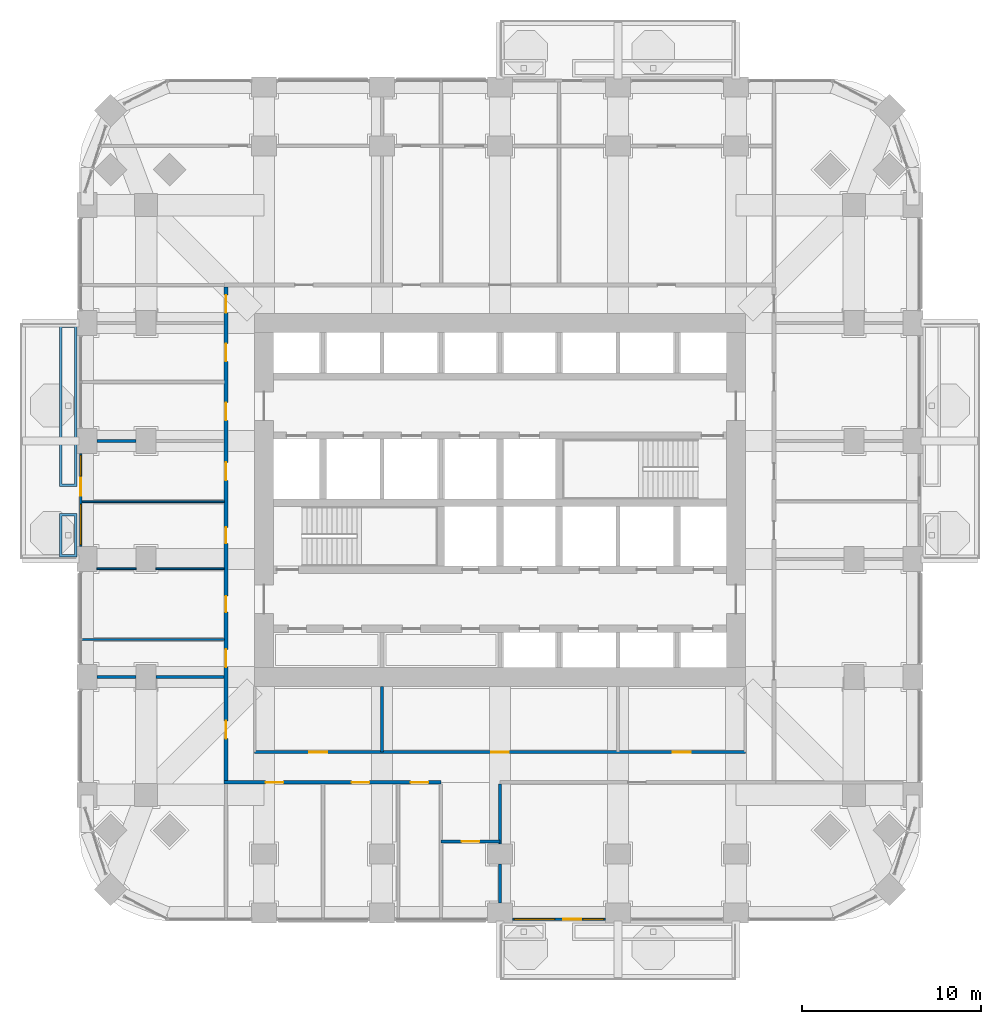
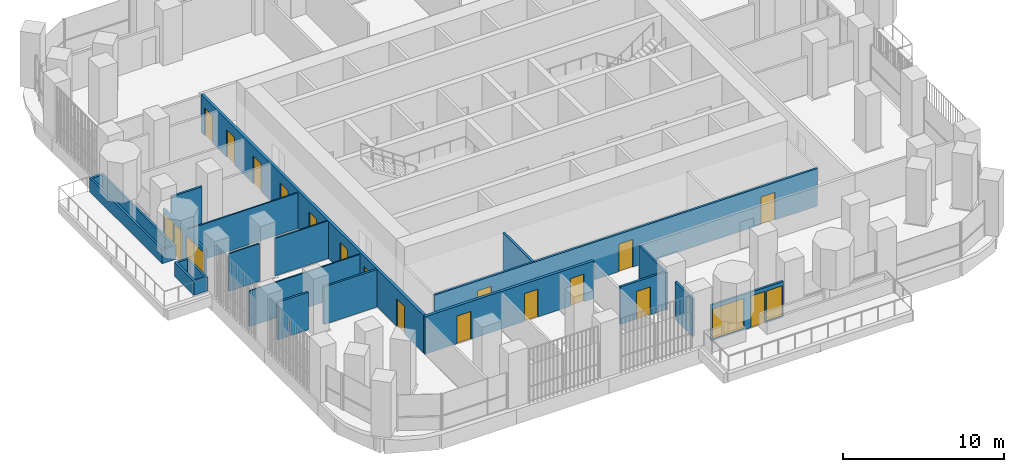
# One storey, part 14 of 22: 18 walls, 17 doors, 4 windows, 21 openings.
"""IFC4 building model written with IfcOpenShell, lengths in metres."""

from ifc_helpers import new_model, si_unit, direction, frame, frame_2d, origin, place, context, subcontext, project, spatial, polyline, rectangle, outline, extrude, material, layer, layer_set, type_object, element, fill, save


model = new_model("IFC4")

# Units and contexts
model_context = context("Model", 3, precision=1e-05, world=origin(), true_north=direction((0.0, 1.0)))
body_context = subcontext(model_context, "Body", "Model", "MODEL_VIEW")
ifc_project = project(units=[si_unit("LENGTHUNIT", "METRE"), si_unit("AREAUNIT", "SQUARE_METRE"), si_unit("VOLUMEUNIT", "CUBIC_METRE"), si_unit("PLANEANGLEUNIT", "RADIAN"), si_unit("MASSUNIT", "GRAM", prefix="KILO")], contexts=[model_context])

# Site, building, storey
site_placement = place(None, origin())
site = spatial("IfcSite", under=ifc_project, at=site_placement, CompositionType="ELEMENT")
building_placement = place(site_placement, origin())
building = spatial("IfcBuilding", under=site, at=building_placement, Name="Cobogo Forest Laboratory Tower", CompositionType="ELEMENT")
storey_placement = place(building_placement, frame((0.0, 0.0, 111.60009765625)))
storey = spatial("IfcBuildingStorey", under=building, at=storey_placement, Name="L25", CompositionType="ELEMENT", Elevation=111.60009765625)

# Wall, openings, door, windows
ifc_material_1 = material(Name="Aluminium framed glazed screen", Category="aluminium")
ifc_layer_1 = layer(ifc_material_1, 0.14990234375)
ifc_layer_set_1 = layer_set([ifc_layer_1], Name="GS1 glazed door screen 150")
wall_type_1 = type_object("IfcWallType", Name="GS1 glazed door screen 150", PredefinedType="SOLIDWALL", material=ifc_layer_set_1)
wall_1_placement = place(storey_placement, frame((27.10009765625, -0.35009765625, 0.0), z_axis=(0.0, 0.0, 1.0), x_axis=(1.0, 0.0, 0.0)))
wall_1 = element("IfcWall", 1, at=wall_1_placement, inside=storey, type_object=wall_type_1, Name="Door screen BAL-S1 L25", PredefinedType="SOLIDWALL", context=body_context, shape_type="SweptSolid", body=[
    extrude(rectangle(XDim=5.199951171875, YDim=0.14990234375, at=frame_2d((2.60009765625, 0.0))), origin(), (0.0, 0.0, 1.0), 2.699951171875),
])
opening_1_placement = place(wall_1_placement, frame((2.85009765625, 0.0, 0.0)))
opening_1 = element("IfcOpeningElement", 2, at=opening_1_placement, cuts=wall_1, Name="Opening L25-D01", PredefinedType="OPENING", context=body_context, shape_type="SweptSolid", body=[
    extrude(rectangle(XDim=1.0, YDim=2.39990234375, at=frame_2d((0.5, 1.199951171875))), frame((0.0, 0.0849609375, 0.0), z_axis=(0.0, -1.0, 0.0), x_axis=(1.0, 0.0, 0.0)), (0.0, 0.0, 1.0), 0.169921875),
])
opening_2_placement = place(wall_1_placement, frame((0.10009765625, 0.0, 0.10009765625)))
opening_2 = element("IfcOpeningElement", 3, at=opening_2_placement, cuts=wall_1, Name="Opening L25-W01", PredefinedType="OPENING", context=body_context, shape_type="SweptSolid", body=[
    extrude(rectangle(XDim=2.25, YDim=2.300048828125, at=frame_2d((1.125, 1.14990234375))), frame((0.0, 0.0849609375, 0.0), z_axis=(0.0, -1.0, 0.0), x_axis=(1.0, 0.0, 0.0)), (0.0, 0.0, 1.0), 0.169921875),
])
opening_3_placement = place(wall_1_placement, frame((3.949951171875, 0.0, 0.10009765625)))
opening_3 = element("IfcOpeningElement", 4, at=opening_3_placement, cuts=wall_1, Name="Opening L25-W02", PredefinedType="OPENING", context=body_context, shape_type="SweptSolid", body=[
    extrude(rectangle(XDim=1.14990234375, YDim=2.300048828125, at=frame_2d((0.574951171875, 1.14990234375))), frame((0.0, 0.0849609375, 0.0), z_axis=(0.0, -1.0, 0.0), x_axis=(1.0, 0.0, 0.0)), (0.0, 0.0, 1.0), 0.169921875),
])
ifc_material_2 = material(Name="Aluminium glazed door", Category="aluminium")
door_type_1 = type_object("IfcDoorType", Name="DB1 balcony door 1000 glazed", OperationType="SINGLE_SWING_LEFT", PredefinedType="DOOR", material=ifc_material_2)
door_1_placement = place(opening_1_placement, origin())
door_1 = element("IfcDoor", 5, at=door_1_placement, inside=storey, type_object=door_type_1, Name="Door L25-BAL-S1", OperationType="SINGLE_SWING_RIGHT", OverallHeight=2.39990234375, OverallWidth=1.0, PredefinedType="DOOR", context=body_context, shape_type="SweptSolid", body=[
    extrude(rectangle(XDim=1.0, YDim=2.39990234375, at=frame_2d((0.5, 1.199951171875))), frame((0.0, 0.02490234375, 0.0), z_axis=(0.0, -1.0, 0.0), x_axis=(1.0, 0.0, 0.0)), (0.0, 0.0, 1.0), 0.050048828125),
])
fill(opening_1, door_1)
ifc_material_3 = material(Name="Aluminium framed glazing", Category="aluminium")
window_type_1 = type_object("IfcWindowType", Name="WG15 fixed glazed light 2250x2300", PartitioningType="SINGLE_PANEL", PredefinedType="WINDOW", material=ifc_material_3)
window_1_placement = place(opening_2_placement, origin())
window_1 = element("IfcWindow", 6, at=window_1_placement, inside=storey, type_object=window_type_1, Name="Window L25-BAL-S1-1", OverallHeight=2.300048828125, OverallWidth=2.25, PartitioningType="SINGLE_PANEL", PredefinedType="WINDOW", context=body_context, shape_type="SweptSolid", body=[
    extrude(rectangle(XDim=2.25, YDim=2.300048828125, at=frame_2d((1.125, 1.14990234375))), frame((0.0, 0.030029296875, 0.0), z_axis=(0.0, -1.0, 0.0), x_axis=(1.0, 0.0, 0.0)), (0.0, 0.0, 1.0), 0.06005859375),
])
fill(opening_2, window_1)
window_type_2 = type_object("IfcWindowType", Name="WG16 fixed glazed light 1150x2300", PartitioningType="SINGLE_PANEL", PredefinedType="WINDOW", material=ifc_material_3)
window_2_placement = place(opening_3_placement, origin())
window_2 = element("IfcWindow", 7, at=window_2_placement, inside=storey, type_object=window_type_2, Name="Window L25-BAL-S1-2", OverallHeight=2.300048828125, OverallWidth=1.14990234375, PartitioningType="SINGLE_PANEL", PredefinedType="WINDOW", context=body_context, shape_type="SweptSolid", body=[
    extrude(rectangle(XDim=1.14990234375, YDim=2.300048828125, at=frame_2d((0.574951171875, 1.14990234375))), frame((0.0, 0.030029296875, 0.0), z_axis=(0.0, -1.0, 0.0), x_axis=(1.0, 0.0, 0.0)), (0.0, 0.0, 1.0), 0.06005859375),
])
fill(opening_3, window_2)

wall_2_placement = place(storey_placement, frame((2.949951171875, 25.699951171875, 0.0), z_axis=(0.0, 0.0, 1.0), x_axis=(0.0, -1.0, 0.0)))
wall_2 = element("IfcWall", 8, at=wall_2_placement, inside=storey, type_object=wall_type_1, Name="Door screen BAL-W1 L25", PredefinedType="SOLIDWALL", context=body_context, shape_type="SweptSolid", body=[
    extrude(rectangle(XDim=5.199951171875, YDim=0.14990234375, at=frame_2d((2.60009765625, 0.0))), origin(), (0.0, 0.0, 1.0), 2.699951171875),
])
opening_4_placement = place(wall_2_placement, frame((1.35009765625, 0.0, 0.0)))
opening_4 = element("IfcOpeningElement", 9, at=opening_4_placement, cuts=wall_2, Name="Opening L25-D25", PredefinedType="OPENING", context=body_context, shape_type="SweptSolid", body=[
    extrude(rectangle(XDim=1.0, YDim=2.39990234375, at=frame_2d((0.5, 1.199951171875))), frame((0.0, 0.0849609375, 0.0), z_axis=(0.0, -1.0, 0.0), x_axis=(1.0, 0.0, 0.0)), (0.0, 0.0, 1.0), 0.169921875),
])
opening_5_placement = place(wall_2_placement, frame((0.10009765625, 0.0, 0.10009765625)))
opening_5 = element("IfcOpeningElement", 10, at=opening_5_placement, cuts=wall_2, Name="Opening L25-W05", PredefinedType="OPENING", context=body_context, shape_type="SweptSolid", body=[
    extrude(rectangle(XDim=1.14990234375, YDim=2.300048828125, at=frame_2d((0.574951171875, 1.14990234375))), frame((0.0, 0.0849609375, 0.0), z_axis=(0.0, -1.0, 0.0), x_axis=(1.0, 0.0, 0.0)), (0.0, 0.0, 1.0), 0.169921875),
])
opening_6_placement = place(wall_2_placement, frame((2.85009765625, 0.0, 0.10009765625)))
opening_6 = element("IfcOpeningElement", 11, at=opening_6_placement, cuts=wall_2, Name="Opening L25-W03", PredefinedType="OPENING", context=body_context, shape_type="SweptSolid", body=[
    extrude(rectangle(XDim=2.25, YDim=2.300048828125, at=frame_2d((1.125, 1.14990234375))), frame((0.0, 0.0849609375, 0.0), z_axis=(0.0, -1.0, 0.0), x_axis=(1.0, 0.0, 0.0)), (0.0, 0.0, 1.0), 0.169921875),
])
door_2_placement = place(opening_4_placement, origin())
door_2 = element("IfcDoor", 12, at=door_2_placement, inside=storey, type_object=door_type_1, Name="Door L25-BAL-W1", OperationType="SINGLE_SWING_LEFT", OverallHeight=2.39990234375, OverallWidth=1.0, PredefinedType="DOOR", context=body_context, shape_type="SweptSolid", body=[
    extrude(rectangle(XDim=1.0, YDim=2.39990234375, at=frame_2d((0.5, 1.199951171875))), frame((0.0, 0.02490234375, 0.0), z_axis=(0.0, -1.0, 0.0), x_axis=(1.0, 0.0, 0.0)), (0.0, 0.0, 1.0), 0.050048828125),
])
fill(opening_4, door_2)
window_3_placement = place(opening_6_placement, origin())
window_3 = element("IfcWindow", 13, at=window_3_placement, inside=storey, type_object=window_type_1, Name="Window L25-BAL-W1-2", OverallHeight=2.300048828125, OverallWidth=2.25, PartitioningType="SINGLE_PANEL", PredefinedType="WINDOW", context=body_context, shape_type="SweptSolid", body=[
    extrude(rectangle(XDim=2.25, YDim=2.300048828125, at=frame_2d((1.125, 1.14990234375))), frame((0.0, 0.030029296875, 0.0), z_axis=(0.0, -1.0, 0.0), x_axis=(1.0, 0.0, 0.0)), (0.0, 0.0, 1.0), 0.06005859375),
])
fill(opening_6, window_3)
window_4_placement = place(opening_5_placement, origin())
window_4 = element("IfcWindow", 14, at=window_4_placement, inside=storey, type_object=window_type_2, Name="Window L25-BAL-W1-1", OverallHeight=2.300048828125, OverallWidth=1.14990234375, PartitioningType="SINGLE_PANEL", PredefinedType="WINDOW", context=body_context, shape_type="SweptSolid", body=[
    extrude(rectangle(XDim=1.14990234375, YDim=2.300048828125, at=frame_2d((0.574951171875, 1.14990234375))), frame((0.0, 0.030029296875, 0.0), z_axis=(0.0, -1.0, 0.0), x_axis=(1.0, 0.0, 0.0)), (0.0, 0.0, 1.0), 0.06005859375),
])
fill(opening_5, window_4)

# Wall, openings, doors
ifc_material_4 = material(Name="Gypsum board on steel studs", Category="steel")
ifc_layer_2 = layer(ifc_material_4, 0.14990234375)
ifc_layer_set_2 = layer_set([ifc_layer_2], Name="PT1 laboratory partition 150")
wall_type_2 = type_object("IfcWallType", Name="PT1 laboratory partition 150", PredefinedType="PARTITIONING", material=ifc_layer_set_2)
wall_3_placement = place(storey_placement, frame((12.675048828125, 9.0, 0.0), z_axis=(0.0, 0.0, 1.0), x_axis=(1.0, 0.0, 0.0)))
wall_3 = element("IfcWall", 15, at=wall_3_placement, inside=storey, type_object=wall_type_2, Name="Partition CSTRIP-S L25", PredefinedType="PARTITIONING", context=body_context, shape_type="SweptSolid", body=[
    extrude(rectangle(XDim=27.449951171875, YDim=0.14990234375, at=frame_2d((13.72509765625, 0.0))), origin(), (0.0, 0.0, 1.0), 2.849853515625),
])
opening_7_placement = place(wall_3_placement, frame((3.0625, 0.0, 0.0)))
opening_7 = element("IfcOpeningElement", 16, at=opening_7_placement, cuts=wall_3, Name="Opening L25-D07", PredefinedType="OPENING", context=body_context, shape_type="SweptSolid", body=[
    extrude(rectangle(XDim=1.0, YDim=2.10009765625, at=frame_2d((0.5, 1.050048828125))), frame((0.0, 0.0849609375, 0.0), z_axis=(0.0, -1.0, 0.0), x_axis=(1.0, 0.0, 0.0)), (0.0, 0.0, 1.0), 0.169921875),
])
opening_8_placement = place(wall_3_placement, frame((13.22509765625, 0.0, 0.0)))
opening_8 = element("IfcOpeningElement", 17, at=opening_8_placement, cuts=wall_3, Name="Opening L25-D08", PredefinedType="OPENING", context=body_context, shape_type="SweptSolid", body=[
    extrude(rectangle(XDim=1.0, YDim=2.10009765625, at=frame_2d((0.5, 1.050048828125))), frame((0.0, 0.0849609375, 0.0), z_axis=(0.0, -1.0, 0.0), x_axis=(1.0, 0.0, 0.0)), (0.0, 0.0, 1.0), 0.169921875),
])
opening_9_placement = place(wall_3_placement, frame((23.387451171875, 0.0, 0.0)))
opening_9 = element("IfcOpeningElement", 18, at=opening_9_placement, cuts=wall_3, Name="Opening L25-D09", PredefinedType="OPENING", context=body_context, shape_type="SweptSolid", body=[
    extrude(rectangle(XDim=1.0, YDim=2.10009765625, at=frame_2d((0.5, 1.050048828125))), frame((0.0, 0.0849609375, 0.0), z_axis=(0.0, -1.0, 0.0), x_axis=(1.0, 0.0, 0.0)), (0.0, 0.0, 1.0), 0.169921875),
])
ifc_material_5 = material(Name="Timber fire door", Category="wood")
door_type_2 = type_object("IfcDoorType", Name="FD2 fire door 1000 EI2 30", OperationType="SINGLE_SWING_LEFT", PredefinedType="DOOR", material=ifc_material_5)
door_3_placement = place(opening_7_placement, origin())
door_3 = element("IfcDoor", 19, at=door_3_placement, inside=storey, type_object=door_type_2, Name="Door L25-CSS1", OperationType="SINGLE_SWING_LEFT", OverallHeight=2.10009765625, OverallWidth=1.0, PredefinedType="DOOR", context=body_context, shape_type="SweptSolid", body=[
    extrude(rectangle(XDim=1.0, YDim=2.10009765625, at=frame_2d((0.5, 1.050048828125))), frame((0.0, 0.02490234375, 0.0), z_axis=(0.0, -1.0, 0.0), x_axis=(1.0, 0.0, 0.0)), (0.0, 0.0, 1.0), 0.050048828125),
])
fill(opening_7, door_3)
door_4_placement = place(opening_8_placement, origin())
door_4 = element("IfcDoor", 20, at=door_4_placement, inside=storey, type_object=door_type_2, Name="Door L25-CSS2", OperationType="SINGLE_SWING_RIGHT", OverallHeight=2.10009765625, OverallWidth=1.0, PredefinedType="DOOR", context=body_context, shape_type="SweptSolid", body=[
    extrude(rectangle(XDim=1.0, YDim=2.10009765625, at=frame_2d((0.5, 1.050048828125))), frame((0.0, 0.02490234375, 0.0), z_axis=(0.0, -1.0, 0.0), x_axis=(1.0, 0.0, 0.0)), (0.0, 0.0, 1.0), 0.050048828125),
])
fill(opening_8, door_4)
door_5_placement = place(opening_9_placement, origin())
door_5 = element("IfcDoor", 21, at=door_5_placement, inside=storey, type_object=door_type_2, Name="Door L25-CSS3", OperationType="SINGLE_SWING_RIGHT", OverallHeight=2.10009765625, OverallWidth=1.0, PredefinedType="DOOR", context=body_context, shape_type="SweptSolid", body=[
    extrude(rectangle(XDim=1.0, YDim=2.10009765625, at=frame_2d((0.5, 1.050048828125))), frame((0.0, 0.02490234375, 0.0), z_axis=(0.0, -1.0, 0.0), x_axis=(1.0, 0.0, 0.0)), (0.0, 0.0, 1.0), 0.050048828125),
])
fill(opening_9, door_5)

# Wall
wall_4_placement = place(storey_placement, frame((19.800048828125, 12.675048828125, 0.0), z_axis=(0.0, 0.0, 1.0), x_axis=(0.0, -1.0, 0.0)))
element("IfcWall", 22, at=wall_4_placement, inside=storey, type_object=wall_type_2, Name="Partition CSTRIP-S19.8 L25", PredefinedType="PARTITIONING", context=body_context, shape_type="SweptSolid", body=[
    extrude(rectangle(XDim=3.675048828125, YDim=0.14990234375, at=frame_2d((1.83740234375, 0.0))), origin(), (0.0, 0.0, 1.0), 2.849853515625),
])

# Wall, opening, door
wall_5_placement = place(storey_placement, frame((23.10009765625, 4.0, 0.0), z_axis=(0.0, 0.0, 1.0), x_axis=(1.0, 0.0, 0.0)))
wall_5 = element("IfcWall", 23, at=wall_5_placement, inside=storey, type_object=wall_type_2, Name="Partition NODE-S-1 L25", PredefinedType="PARTITIONING", context=body_context, shape_type="SweptSolid", body=[
    extrude(rectangle(XDim=3.2998046875, YDim=0.14990234375, at=frame_2d((1.64990234375, 0.0))), origin(), (0.0, 0.0, 1.0), 2.849853515625),
])
opening_10_placement = place(wall_5_placement, frame((1.14990234375, 0.0, 0.0)))
opening_10 = element("IfcOpeningElement", 24, at=opening_10_placement, cuts=wall_5, Name="Opening L25-D02", PredefinedType="OPENING", context=body_context, shape_type="SweptSolid", body=[
    extrude(rectangle(XDim=1.0, YDim=2.10009765625, at=frame_2d((0.5, 1.050048828125))), frame((0.0, 0.0849609375, 0.0), z_axis=(0.0, -1.0, 0.0), x_axis=(1.0, 0.0, 0.0)), (0.0, 0.0, 1.0), 0.169921875),
])
door_6_placement = place(opening_10_placement, origin())
door_6 = element("IfcDoor", 25, at=door_6_placement, inside=storey, type_object=door_type_2, Name="Door L25-S3", OperationType="SINGLE_SWING_LEFT", OverallHeight=2.10009765625, OverallWidth=1.0, PredefinedType="DOOR", context=body_context, shape_type="SweptSolid", body=[
    extrude(rectangle(XDim=1.0, YDim=2.10009765625, at=frame_2d((0.5, 1.050048828125))), frame((0.0, 0.02490234375, 0.0), z_axis=(0.0, -1.0, 0.0), x_axis=(1.0, 0.0, 0.0)), (0.0, 0.0, 1.0), 0.050048828125),
])
fill(opening_10, door_6)

# Walls
wall_6_placement = place(storey_placement, frame((26.39990234375, 0.550048828125, 0.0), z_axis=(0.0, 0.0, 1.0), x_axis=(0.0, 1.0, 0.0)))
element("IfcWall", 26, at=wall_6_placement, inside=storey, type_object=wall_type_2, Name="Partition CUT-S26.4-1 L25", PredefinedType="PARTITIONING", context=body_context, shape_type="SweptSolid", body=[
    extrude(rectangle(XDim=2.199951171875, YDim=0.14990234375, at=frame_2d((1.10009765625, 0.0))), origin(), (0.0, 0.0, 1.0), 2.849853515625),
])
wall_7_placement = place(storey_placement, frame((26.39990234375, 3.85009765625, 0.0), z_axis=(0.0, 0.0, 1.0), x_axis=(0.0, 1.0, 0.0)))
element("IfcWall", 27, at=wall_7_placement, inside=storey, type_object=wall_type_2, Name="Partition CUT-S26.4-2 L25", PredefinedType="PARTITIONING", context=body_context, shape_type="SweptSolid", body=[
    extrude(rectangle(XDim=3.349853515625, YDim=0.14990234375, at=frame_2d((1.6748046875, 0.0))), origin(), (0.0, 0.0, 1.0), 2.849853515625),
])
wall_8_placement = place(storey_placement, frame((3.85009765625, 13.199951171875, 0.0), z_axis=(0.0, 0.0, 1.0), x_axis=(1.0, 0.0, 0.0)))
element("IfcWall", 28, at=wall_8_placement, inside=storey, type_object=wall_type_2, Name="Partition CUT-W13.2-1 L25", PredefinedType="PARTITIONING", context=body_context, shape_type="SweptSolid", body=[
    extrude(rectangle(XDim=2.199951171875, YDim=0.14990234375, at=frame_2d((1.10009765625, 0.0))), origin(), (0.0, 0.0, 1.0), 2.849853515625),
])
wall_9_placement = place(storey_placement, frame((7.14990234375, 13.199951171875, 0.0), z_axis=(0.0, 0.0, 1.0), x_axis=(1.0, 0.0, 0.0)))
element("IfcWall", 29, at=wall_9_placement, inside=storey, type_object=wall_type_2, Name="Partition CUT-W13.2-2 L25", PredefinedType="PARTITIONING", context=body_context, shape_type="SweptSolid", body=[
    extrude(rectangle(XDim=3.8251953125, YDim=0.14990234375, at=frame_2d((1.91259765625, 0.0))), origin(), (0.0, 0.0, 1.0), 2.849853515625),
])
wall_10_placement = place(storey_placement, frame((3.85009765625, 26.39990234375, 0.0), z_axis=(0.0, 0.0, 1.0), x_axis=(1.0, 0.0, 0.0)))
element("IfcWall", 30, at=wall_10_placement, inside=storey, type_object=wall_type_2, Name="Partition CUT-W26.4-1 L25", PredefinedType="PARTITIONING", context=body_context, shape_type="SweptSolid", body=[
    extrude(rectangle(XDim=2.199951171875, YDim=0.14990234375, at=frame_2d((1.10009765625, 0.0))), origin(), (0.0, 0.0, 1.0), 2.849853515625),
])

# Wall, openings, doors
ifc_layer_3 = layer(ifc_material_4, 0.199951171875)
ifc_layer_set_3 = layer_set([ifc_layer_3], Name="PT2 fire-rated corridor partition 200")
wall_type_3 = type_object("IfcWallType", Name="PT2 fire-rated corridor partition 200", PredefinedType="PARTITIONING", material=ifc_layer_set_3)
wall_11_placement = place(storey_placement, frame((10.97509765625, 7.300048828125, 0.0), z_axis=(0.0, 0.0, 1.0), x_axis=(1.0, 0.0, 0.0)))
wall_11 = element("IfcWall", 31, at=wall_11_placement, inside=storey, type_object=wall_type_3, Name="Partition CORR-S-1 L25", PredefinedType="PARTITIONING", context=body_context, shape_type="SweptSolid", body=[
    extrude(rectangle(XDim=12.125, YDim=0.199951171875, at=frame_2d((6.0625, 0.0))), origin(), (0.0, 0.0, 1.0), 2.849853515625),
])
opening_11_placement = place(wall_11_placement, frame((2.3125, 0.0, 0.0)))
opening_11 = element("IfcOpeningElement", 32, at=opening_11_placement, cuts=wall_11, Name="Opening L25-D03", PredefinedType="OPENING", context=body_context, shape_type="SweptSolid", body=[
    extrude(rectangle(XDim=1.0, YDim=2.10009765625, at=frame_2d((0.5, 1.050048828125))), frame((0.0, 0.10986328125, 0.0), z_axis=(0.0, -1.0, 0.0), x_axis=(1.0, 0.0, 0.0)), (0.0, 0.0, 1.0), 0.219970703125),
])
opening_12_placement = place(wall_11_placement, frame((7.125, 0.0, 0.0)))
opening_12 = element("IfcOpeningElement", 33, at=opening_12_placement, cuts=wall_11, Name="Opening L25-D04", PredefinedType="OPENING", context=body_context, shape_type="SweptSolid", body=[
    extrude(rectangle(XDim=1.0, YDim=2.10009765625, at=frame_2d((0.5, 1.050048828125))), frame((0.0, 0.10986328125, 0.0), z_axis=(0.0, -1.0, 0.0), x_axis=(1.0, 0.0, 0.0)), (0.0, 0.0, 1.0), 0.219970703125),
])
opening_13_placement = place(wall_11_placement, frame((10.425048828125, 0.0, 0.0)))
opening_13 = element("IfcOpeningElement", 34, at=opening_13_placement, cuts=wall_11, Name="Opening L25-D05", PredefinedType="OPENING", context=body_context, shape_type="SweptSolid", body=[
    extrude(rectangle(XDim=1.0, YDim=2.10009765625, at=frame_2d((0.5, 1.050048828125))), frame((0.0, 0.10986328125, 0.0), z_axis=(0.0, -1.0, 0.0), x_axis=(1.0, 0.0, 0.0)), (0.0, 0.0, 1.0), 0.219970703125),
])
door_7_placement = place(opening_11_placement, origin())
door_7 = element("IfcDoor", 35, at=door_7_placement, inside=storey, type_object=door_type_2, Name="Door L25-S1", OperationType="SINGLE_SWING_LEFT", OverallHeight=2.10009765625, OverallWidth=1.0, PredefinedType="DOOR", context=body_context, shape_type="SweptSolid", body=[
    extrude(rectangle(XDim=1.0, YDim=2.10009765625, at=frame_2d((0.5, 1.050048828125))), frame((0.0, 0.02490234375, 0.0), z_axis=(0.0, -1.0, 0.0), x_axis=(1.0, 0.0, 0.0)), (0.0, 0.0, 1.0), 0.050048828125),
])
fill(opening_11, door_7)
door_8_placement = place(opening_12_placement, origin())
door_8 = element("IfcDoor", 36, at=door_8_placement, inside=storey, type_object=door_type_2, Name="Door L25-MTG", OperationType="SINGLE_SWING_RIGHT", OverallHeight=2.10009765625, OverallWidth=1.0, PredefinedType="DOOR", context=body_context, shape_type="SweptSolid", body=[
    extrude(rectangle(XDim=1.0, YDim=2.10009765625, at=frame_2d((0.5, 1.050048828125))), frame((0.0, 0.02490234375, 0.0), z_axis=(0.0, -1.0, 0.0), x_axis=(1.0, 0.0, 0.0)), (0.0, 0.0, 1.0), 0.050048828125),
])
fill(opening_12, door_8)
door_9_placement = place(opening_13_placement, origin())
door_9 = element("IfcDoor", 37, at=door_9_placement, inside=storey, type_object=door_type_2, Name="Door L25-PAN", OperationType="SINGLE_SWING_RIGHT", OverallHeight=2.10009765625, OverallWidth=1.0, PredefinedType="DOOR", context=body_context, shape_type="SweptSolid", body=[
    extrude(rectangle(XDim=1.0, YDim=2.10009765625, at=frame_2d((0.5, 1.050048828125))), frame((0.0, 0.02490234375, 0.0), z_axis=(0.0, -1.0, 0.0), x_axis=(1.0, 0.0, 0.0)), (0.0, 0.0, 1.0), 0.050048828125),
])
fill(opening_13, door_9)

wall_12_placement = place(storey_placement, frame((11.074951171875, 7.39990234375, 0.0), z_axis=(0.0, 0.0, 1.0), x_axis=(0.0, 1.0, 0.0)))
wall_12 = element("IfcWall", 38, at=wall_12_placement, inside=storey, type_object=wall_type_3, Name="Partition CORR-W L25", PredefinedType="PARTITIONING", context=body_context, shape_type="SweptSolid", body=[
    extrude(rectangle(XDim=27.625, YDim=0.199951171875, at=frame_2d((13.8125, 0.0))), origin(), (0.0, 0.0, 1.0), 2.849853515625),
])
opening_14_placement = place(wall_12_placement, frame((2.35009765625, 0.0, 0.0)))
opening_14 = element("IfcOpeningElement", 39, at=opening_14_placement, cuts=wall_12, Name="Opening L25-D10", PredefinedType="OPENING", context=body_context, shape_type="SweptSolid", body=[
    extrude(rectangle(XDim=1.0, YDim=2.10009765625, at=frame_2d((0.5, 1.050048828125))), frame((0.0, 0.10986328125, 0.0), z_axis=(0.0, -1.0, 0.0), x_axis=(1.0, 0.0, 0.0)), (0.0, 0.0, 1.0), 0.219970703125),
])
opening_15_placement = place(wall_12_placement, frame((6.35009765625, 0.0, 0.0)))
opening_15 = element("IfcOpeningElement", 40, at=opening_15_placement, cuts=wall_12, Name="Opening L25-D12", PredefinedType="OPENING", context=body_context, shape_type="SweptSolid", body=[
    extrude(rectangle(XDim=1.0, YDim=2.10009765625, at=frame_2d((0.5, 1.050048828125))), frame((0.0, 0.10986328125, 0.0), z_axis=(0.0, -1.0, 0.0), x_axis=(1.0, 0.0, 0.0)), (0.0, 0.0, 1.0), 0.219970703125),
])
opening_16_placement = place(wall_12_placement, frame((9.425048828125, 0.0, 0.0)))
opening_16 = element("IfcOpeningElement", 41, at=opening_16_placement, cuts=wall_12, Name="Opening L25-D17", PredefinedType="OPENING", context=body_context, shape_type="SweptSolid", body=[
    extrude(rectangle(XDim=0.89990234375, YDim=2.10009765625, at=frame_2d((0.449951171875, 1.050048828125))), frame((0.0, 0.10986328125, 0.0), z_axis=(0.0, -1.0, 0.0), x_axis=(1.0, 0.0, 0.0)), (0.0, 0.0, 1.0), 0.219970703125),
])
opening_17_placement = place(wall_12_placement, frame((13.27490234375, 0.0, 0.0)))
opening_17 = element("IfcOpeningElement", 42, at=opening_17_placement, cuts=wall_12, Name="Opening L25-D23", PredefinedType="OPENING", context=body_context, shape_type="SweptSolid", body=[
    extrude(rectangle(XDim=0.89990234375, YDim=2.10009765625, at=frame_2d((0.449951171875, 1.050048828125))), frame((0.0, 0.10986328125, 0.0), z_axis=(0.0, -1.0, 0.0), x_axis=(1.0, 0.0, 0.0)), (0.0, 0.0, 1.0), 0.219970703125),
])
opening_18_placement = place(wall_12_placement, frame((16.800048828125, 0.0, 0.0)))
opening_18 = element("IfcOpeningElement", 43, at=opening_18_placement, cuts=wall_12, Name="Opening L25-D27", PredefinedType="OPENING", context=body_context, shape_type="SweptSolid", body=[
    extrude(rectangle(XDim=1.0, YDim=2.10009765625, at=frame_2d((0.5, 1.050048828125))), frame((0.0, 0.10986328125, 0.0), z_axis=(0.0, -1.0, 0.0), x_axis=(1.0, 0.0, 0.0)), (0.0, 0.0, 1.0), 0.219970703125),
])
opening_19_placement = place(wall_12_placement, frame((20.14990234375, 0.0, 0.0)))
opening_19 = element("IfcOpeningElement", 44, at=opening_19_placement, cuts=wall_12, Name="Opening L25-D30", PredefinedType="OPENING", context=body_context, shape_type="SweptSolid", body=[
    extrude(rectangle(XDim=1.0, YDim=2.10009765625, at=frame_2d((0.5, 1.050048828125))), frame((0.0, 0.10986328125, 0.0), z_axis=(0.0, -1.0, 0.0), x_axis=(1.0, 0.0, 0.0)), (0.0, 0.0, 1.0), 0.219970703125),
])
opening_20_placement = place(wall_12_placement, frame((23.449951171875, 0.0, 0.0)))
opening_20 = element("IfcOpeningElement", 45, at=opening_20_placement, cuts=wall_12, Name="Opening L25-D34", PredefinedType="OPENING", context=body_context, shape_type="SweptSolid", body=[
    extrude(rectangle(XDim=1.0, YDim=2.10009765625, at=frame_2d((0.5, 1.050048828125))), frame((0.0, 0.10986328125, 0.0), z_axis=(0.0, -1.0, 0.0), x_axis=(1.0, 0.0, 0.0)), (0.0, 0.0, 1.0), 0.219970703125),
])
opening_21_placement = place(wall_12_placement, frame((26.16259765625, 0.0, 0.0)))
opening_21 = element("IfcOpeningElement", 46, at=opening_21_placement, cuts=wall_12, Name="Opening L25-D35", PredefinedType="OPENING", context=body_context, shape_type="SweptSolid", body=[
    extrude(rectangle(XDim=1.0, YDim=2.10009765625, at=frame_2d((0.5, 1.050048828125))), frame((0.0, 0.10986328125, 0.0), z_axis=(0.0, -1.0, 0.0), x_axis=(1.0, 0.0, 0.0)), (0.0, 0.0, 1.0), 0.219970703125),
])
door_10_placement = place(opening_14_placement, origin())
door_10 = element("IfcDoor", 47, at=door_10_placement, inside=storey, type_object=door_type_2, Name="Door L25-W1", OperationType="SINGLE_SWING_LEFT", OverallHeight=2.10009765625, OverallWidth=1.0, PredefinedType="DOOR", context=body_context, shape_type="SweptSolid", body=[
    extrude(rectangle(XDim=1.0, YDim=2.10009765625, at=frame_2d((0.5, 1.050048828125))), frame((0.0, 0.02490234375, 0.0), z_axis=(0.0, -1.0, 0.0), x_axis=(1.0, 0.0, 0.0)), (0.0, 0.0, 1.0), 0.050048828125),
])
fill(opening_14, door_10)
door_11_placement = place(opening_18_placement, origin())
door_11 = element("IfcDoor", 48, at=door_11_placement, inside=storey, type_object=door_type_2, Name="Door L25-SHW", OperationType="SINGLE_SWING_RIGHT", OverallHeight=2.10009765625, OverallWidth=1.0, PredefinedType="DOOR", context=body_context, shape_type="SweptSolid", body=[
    extrude(rectangle(XDim=1.0, YDim=2.10009765625, at=frame_2d((0.5, 1.050048828125))), frame((0.0, 0.02490234375, 0.0), z_axis=(0.0, -1.0, 0.0), x_axis=(1.0, 0.0, 0.0)), (0.0, 0.0, 1.0), 0.050048828125),
])
fill(opening_18, door_11)
door_12_placement = place(opening_19_placement, origin())
door_12 = element("IfcDoor", 49, at=door_12_placement, inside=storey, type_object=door_type_2, Name="Door L25-W3", OperationType="SINGLE_SWING_RIGHT", OverallHeight=2.10009765625, OverallWidth=1.0, PredefinedType="DOOR", context=body_context, shape_type="SweptSolid", body=[
    extrude(rectangle(XDim=1.0, YDim=2.10009765625, at=frame_2d((0.5, 1.050048828125))), frame((0.0, 0.02490234375, 0.0), z_axis=(0.0, -1.0, 0.0), x_axis=(1.0, 0.0, 0.0)), (0.0, 0.0, 1.0), 0.050048828125),
])
fill(opening_19, door_12)
door_13_placement = place(opening_20_placement, origin())
door_13 = element("IfcDoor", 50, at=door_13_placement, inside=storey, type_object=door_type_2, Name="Door L25-W4", OperationType="SINGLE_SWING_RIGHT", OverallHeight=2.10009765625, OverallWidth=1.0, PredefinedType="DOOR", context=body_context, shape_type="SweptSolid", body=[
    extrude(rectangle(XDim=1.0, YDim=2.10009765625, at=frame_2d((0.5, 1.050048828125))), frame((0.0, 0.02490234375, 0.0), z_axis=(0.0, -1.0, 0.0), x_axis=(1.0, 0.0, 0.0)), (0.0, 0.0, 1.0), 0.050048828125),
])
fill(opening_20, door_13)
door_14_placement = place(opening_21_placement, origin())
door_14 = element("IfcDoor", 51, at=door_14_placement, inside=storey, type_object=door_type_2, Name="Door L25-W5", OperationType="SINGLE_SWING_RIGHT", OverallHeight=2.10009765625, OverallWidth=1.0, PredefinedType="DOOR", context=body_context, shape_type="SweptSolid", body=[
    extrude(rectangle(XDim=1.0, YDim=2.10009765625, at=frame_2d((0.5, 1.050048828125))), frame((0.0, 0.02490234375, 0.0), z_axis=(0.0, -1.0, 0.0), x_axis=(1.0, 0.0, 0.0)), (0.0, 0.0, 1.0), 0.050048828125),
])
fill(opening_21, door_14)
door_type_3 = type_object("IfcDoorType", Name="FD3 toilet fire door 900 EI2 30", OperationType="SINGLE_SWING_LEFT", PredefinedType="DOOR", material=ifc_material_5)
door_15_placement = place(opening_16_placement, origin())
door_15 = element("IfcDoor", 52, at=door_15_placement, inside=storey, type_object=door_type_3, Name="Door L25-WCF", OperationType="SINGLE_SWING_LEFT", OverallHeight=2.10009765625, OverallWidth=0.89990234375, PredefinedType="DOOR", context=body_context, shape_type="SweptSolid", body=[
    extrude(rectangle(XDim=0.89990234375, YDim=2.10009765625, at=frame_2d((0.449951171875, 1.050048828125))), frame((0.0, 0.02490234375, 0.0), z_axis=(0.0, -1.0, 0.0), x_axis=(1.0, 0.0, 0.0)), (0.0, 0.0, 1.0), 0.050048828125),
])
fill(opening_16, door_15)
door_16_placement = place(opening_17_placement, origin())
door_16 = element("IfcDoor", 53, at=door_16_placement, inside=storey, type_object=door_type_3, Name="Door L25-WCM", OperationType="SINGLE_SWING_LEFT", OverallHeight=2.10009765625, OverallWidth=0.89990234375, PredefinedType="DOOR", context=body_context, shape_type="SweptSolid", body=[
    extrude(rectangle(XDim=0.89990234375, YDim=2.10009765625, at=frame_2d((0.449951171875, 1.050048828125))), frame((0.0, 0.02490234375, 0.0), z_axis=(0.0, -1.0, 0.0), x_axis=(1.0, 0.0, 0.0)), (0.0, 0.0, 1.0), 0.050048828125),
])
fill(opening_17, door_16)
door_type_4 = type_object("IfcDoorType", Name="FDA1 accessible toilet fire door 1000 EI2 30", OperationType="SINGLE_SWING_RIGHT", PredefinedType="DOOR", material=ifc_material_5)
door_17_placement = place(opening_15_placement, origin())
door_17 = element("IfcDoor", 54, at=door_17_placement, inside=storey, type_object=door_type_4, Name="Door L25-WCA", OperationType="SINGLE_SWING_LEFT", OverallHeight=2.10009765625, OverallWidth=1.0, PredefinedType="DOOR", context=body_context, shape_type="SweptSolid", body=[
    extrude(rectangle(XDim=1.0, YDim=2.10009765625, at=frame_2d((0.5, 1.050048828125))), frame((0.0, 0.02490234375, 0.0), z_axis=(0.0, -1.0, 0.0), x_axis=(1.0, 0.0, 0.0)), (0.0, 0.0, 1.0), 0.050048828125),
])
fill(opening_15, door_17)

# Walls
ifc_layer_4 = layer(ifc_material_4, 0.10009765625)
ifc_layer_set_4 = layer_set([ifc_layer_4], Name="PT3 toilet partition 100")
wall_type_4 = type_object("IfcWallType", Name="PT3 toilet partition 100", PredefinedType="PARTITIONING", material=ifc_layer_set_4)
wall_13_placement = place(storey_placement, frame((3.030029296875, 15.300048828125, 0.0), z_axis=(0.0, 0.0, 1.0), x_axis=(1.0, 0.0, 0.0)))
element("IfcWall", 55, at=wall_13_placement, inside=storey, type_object=wall_type_4, Name="Partition SVC-W1-1 L25", PredefinedType="PARTITIONING", context=body_context, shape_type="SweptSolid", body=[
    extrude(rectangle(XDim=7.945068359375, YDim=0.10009765625, at=frame_2d((3.97265625, 0.0))), origin(), (0.0, 0.0, 1.0), 2.699951171875),
])
wall_14_placement = place(storey_placement, frame((3.85009765625, 19.25, 0.0), z_axis=(0.0, 0.0, 1.0), x_axis=(1.0, 0.0, 0.0)))
element("IfcWall", 56, at=wall_14_placement, inside=storey, type_object=wall_type_4, Name="Partition SVC-W2-1 L25", PredefinedType="PARTITIONING", context=body_context, shape_type="SweptSolid", body=[
    extrude(rectangle(XDim=2.199951171875, YDim=0.10009765625, at=frame_2d((1.10009765625, 0.0))), origin(), (0.0, 0.0, 1.0), 2.849853515625),
])
wall_15_placement = place(storey_placement, frame((7.14990234375, 19.25, 0.0), z_axis=(0.0, 0.0, 1.0), x_axis=(1.0, 0.0, 0.0)))
element("IfcWall", 57, at=wall_15_placement, inside=storey, type_object=wall_type_4, Name="Partition SVC-W2-2 L25", PredefinedType="PARTITIONING", context=body_context, shape_type="SweptSolid", body=[
    extrude(rectangle(XDim=3.8251953125, YDim=0.10009765625, at=frame_2d((1.91259765625, 0.0))), origin(), (0.0, 0.0, 1.0), 2.849853515625),
])
wall_16_placement = place(storey_placement, frame((3.030029296875, 23.0, 0.0), z_axis=(0.0, 0.0, 1.0), x_axis=(1.0, 0.0, 0.0)))
element("IfcWall", 58, at=wall_16_placement, inside=storey, type_object=wall_type_4, Name="Partition SVC-W3-1 L25", PredefinedType="PARTITIONING", context=body_context, shape_type="SweptSolid", body=[
    extrude(rectangle(XDim=7.945068359375, YDim=0.10009765625, at=frame_2d((3.97265625, 0.0))), origin(), (0.0, 0.0, 1.0), 2.699951171875),
])
ifc_material_6 = material(Name="Concrete HA-40 (C40/50)", Category="concrete")
ifc_layer_5 = layer(ifc_material_6, 0.14990234375)
ifc_layer_set_5 = layer_set([ifc_layer_5], Name="Planter box 1000x1050")
wall_type_5 = type_object("IfcWallType", Name="Planter box 1000x1050", PredefinedType="USERDEFINED", material=ifc_layer_set_5)
wall_17_placement = place(storey_placement, origin())
element("IfcWall", 59, at=wall_17_placement, inside=storey, type_object=wall_type_5, Name="Planter BAL-W1-1 L25", ObjectType="PLANTER", PredefinedType="USERDEFINED", context=body_context, shape_type="SweptSolid", body=[
    extrude(outline(polyline([(1.75, 19.89990234375), (2.75, 19.89990234375), (2.75, 22.35009765625), (1.75, 22.35009765625), (1.75, 19.89990234375)]), holes=[polyline([(1.89990234375, 20.050048828125), (2.60009765625, 20.050048828125), (2.60009765625, 22.199951171875), (1.89990234375, 22.199951171875), (1.89990234375, 20.050048828125)])]), origin(), (0.0, 0.0, 1.0), 1.0498046875),
])
wall_18_placement = place(storey_placement, origin())
element("IfcWall", 60, at=wall_18_placement, inside=storey, type_object=wall_type_5, Name="Planter BAL-W1-2 L25", ObjectType="PLANTER", PredefinedType="USERDEFINED", context=body_context, shape_type="SweptSolid", body=[
    extrude(outline(polyline([(1.75, 23.85009765625), (2.75, 23.85009765625), (2.75, 32.89990234375), (1.75, 32.89990234375), (1.75, 23.85009765625)]), holes=[polyline([(1.89990234375, 24.0), (2.60009765625, 24.0), (2.60009765625, 32.75), (1.89990234375, 32.75), (1.89990234375, 24.0)])]), origin(), (0.0, 0.0, 1.0), 1.0498046875),
])

save(model, "model.ifc")
